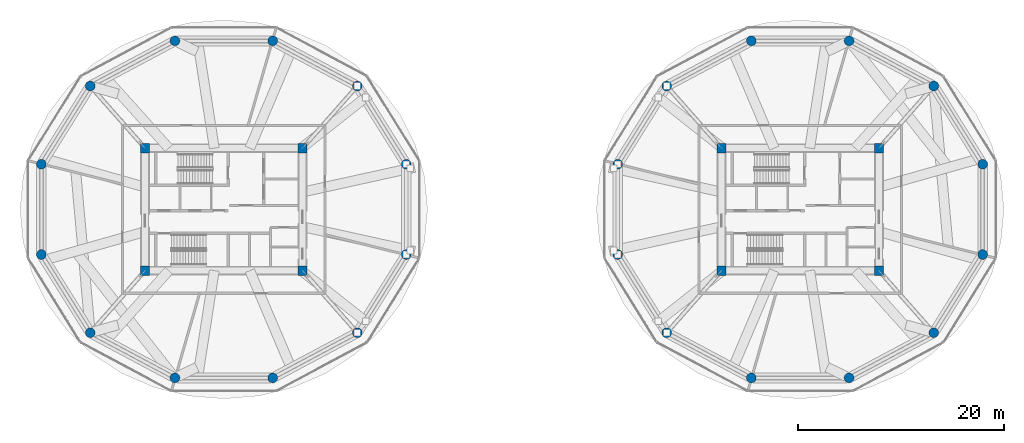
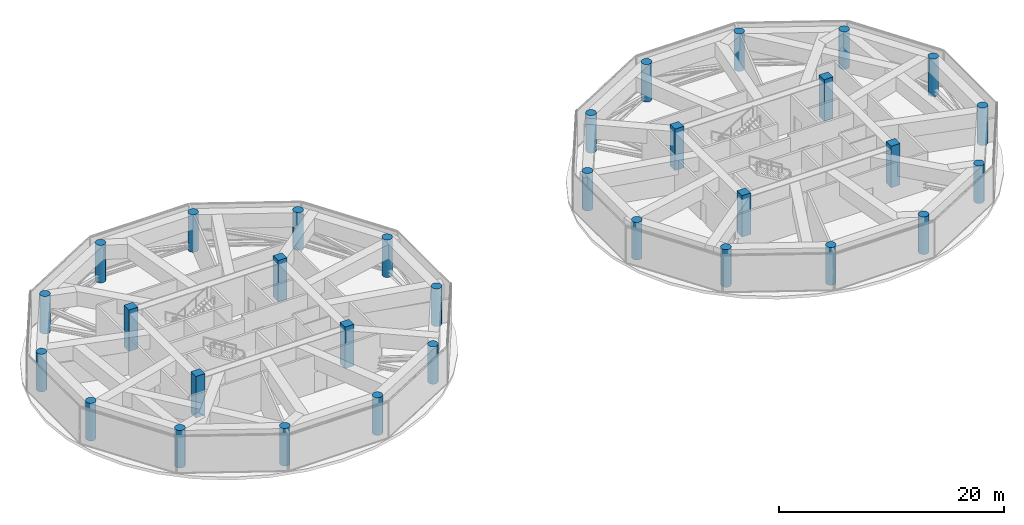
# One storey, part 1 of 22: 32 columns.
"""IFC4 building model written with IfcOpenShell, lengths in metres."""

import ifcopenshell
import ifcopenshell.guid

model = None  # the IFC model being written
_history = None  # IfcOwnerHistory: only IFC2X3 demands one
_inside = {}  # id of a spatial element -> (the spatial element, [elements in it])
_under = {}  # id of a project, library or spatial element -> (it, [spatial elements below it])
_declared = {}  # id of a project -> (the project, [libraries it declares])
_typed = {}  # id of a type object -> (the type object, [elements of that type])
_made_of = {}  # id of a material, layer set ... -> (it, [elements and type objects made of it])


def new_model(schema):
    """Start an empty IFC model of exactly this schema.

    Asked for "IFC4X3", IfcOpenShell would pick the latest addendum, in which some entities
    have other attributes; the version numbers below select the first issue.
    IFC2X3 requires an IfcOwnerHistory on every rooted entity: one is made here for all.
    """
    global model, _history
    if schema == "IFC4X3":
        model = ifcopenshell.file(schema_version=(4, 3, 0, 0))
    else:
        model = ifcopenshell.file(schema=schema)
    _inside.clear()
    _under.clear()
    _declared.clear()
    _typed.clear()
    _made_of.clear()
    _history = None
    if model.schema == "IFC2X3":
        org = make("IfcOrganization", Name="unknown")
        user = make(
            "IfcPersonAndOrganization",
            ThePerson=make("IfcPerson", FamilyName="unknown"),
            TheOrganization=org,
        )
        app = make(
            "IfcApplication",
            ApplicationDeveloper=org,
            Version="unknown",
            ApplicationFullName="unknown",
            ApplicationIdentifier="unknown",
        )
        _history = make(
            "IfcOwnerHistory",
            OwningUser=user,
            OwningApplication=app,
            ChangeAction="ADDED",
            CreationDate=0,
        )
    return model


def make(cls, **values):
    """One entity of the class cls with the attributes given. An attribute that is None is left unset."""
    return model.create_entity(
        cls, **{name: value for name, value in values.items() if value is not None}
    )


def rooted(cls, **values):
    """An entity with a GlobalId (a new one), such as an element, a storey or a relation."""
    return make(cls, GlobalId=ifcopenshell.guid.new(), OwnerHistory=_history, **values)


def si_unit(unit_type, name, prefix=None):
    """IfcSIUnit, for example si_unit("LENGTHUNIT", "METRE", prefix="MILLI")."""
    return make("IfcSIUnit", UnitType=unit_type, Prefix=prefix, Name=name)


def assignment(units):
    """IfcUnitAssignment: the units of a project."""
    return None if units is None else make("IfcUnitAssignment", Units=units)


def point(xyz):
    """IfcCartesianPoint."""
    return None if xyz is None else make("IfcCartesianPoint", Coordinates=xyz)


def direction(xyz):
    """IfcDirection."""
    return None if xyz is None else make("IfcDirection", DirectionRatios=xyz)


def frame(location, z_axis=None, x_axis=None):
    """IfcAxis2Placement3D, a coordinate frame: its origin and axes. An axis left out is left unset."""
    return make(
        "IfcAxis2Placement3D",
        Location=point(location),
        Axis=direction(z_axis),
        RefDirection=direction(x_axis),
    )


def frame_2d(location, x_axis=None):
    """IfcAxis2Placement2D, a coordinate frame in the plane: its origin and x axis."""
    return make(
        "IfcAxis2Placement2D", Location=point(location), RefDirection=direction(x_axis)
    )


def origin():
    """The frame at (0, 0, 0) with its axes left unset."""
    return frame((0.0, 0.0, 0.0))


def origin_2d():
    """The frame at (0, 0) in the plane with its x axis left unset."""
    return frame_2d((0.0, 0.0))


def place(relative_to, where):
    """IfcLocalPlacement: puts the frame where relative to a parent placement (None: the world)."""
    return make(
        "IfcLocalPlacement", PlacementRelTo=relative_to, RelativePlacement=where
    )


def context(
    kind, dimensions, precision=None, world=None, true_north=None, identifier=None
):
    """IfcGeometricRepresentationContext, for example the 3D "Model" context."""
    return make(
        "IfcGeometricRepresentationContext",
        ContextIdentifier=identifier,
        ContextType=kind,
        CoordinateSpaceDimension=dimensions,
        Precision=precision,
        WorldCoordinateSystem=world,
        TrueNorth=true_north,
    )


def subcontext(parent, identifier, kind, view, scale=None):
    """IfcGeometricRepresentationSubContext, for example "Body" below "Model"."""
    return make(
        "IfcGeometricRepresentationSubContext",
        ContextIdentifier=identifier,
        ContextType=kind,
        ParentContext=parent,
        TargetScale=scale,
        TargetView=view,
    )


def project(units=None, contexts=None):
    """IfcProject with its units and contexts."""
    return rooted(
        "IfcProject",
        Name="project",
        RepresentationContexts=contexts,
        UnitsInContext=assignment(units),
    )


def spatial(cls, under=None, at=None, **own):
    """A site, building, storey or space (cls), placed at a placement, below another one or the project."""
    s = rooted(cls, ObjectPlacement=at, **own)
    if under is not None:
        _under.setdefault(under.id(), (under, []))[1].append(s)
    return s


def profile(cls, at=None, kind="AREA", **sizes):
    """A parametric profile (cls). Its sizes go by their IFC names, for example OverallWidth=200.0."""
    return make(cls, ProfileType=kind, Position=at, **sizes)


def rectangle(**sizes):
    """IfcRectangleProfileDef."""
    return profile("IfcRectangleProfileDef", **sizes)


def circle(**sizes):
    """IfcCircleProfileDef."""
    return profile("IfcCircleProfileDef", **sizes)


def extrude(swept, where, along, depth):
    """IfcExtrudedAreaSolid: the profile swept, set in the frame where, extruded along a direction by depth."""
    return make(
        "IfcExtrudedAreaSolid",
        SweptArea=swept,
        Position=where,
        ExtrudedDirection=direction(along),
        Depth=depth,
    )


def shape(context_of_items, identifier, shape_type, items):
    """IfcShapeRepresentation: the items that make up one representation, for example the "Body"."""
    return make(
        "IfcShapeRepresentation",
        ContextOfItems=context_of_items,
        RepresentationIdentifier=identifier,
        RepresentationType=shape_type,
        Items=items,
    )


def source(mapping_origin, context_of_items, identifier, shape_type, items):
    """IfcRepresentationMap: a shape defined once, which mapped items show again and again."""
    return make(
        "IfcRepresentationMap",
        MappingOrigin=mapping_origin,
        MappedRepresentation=shape(context_of_items, identifier, shape_type, items),
    )


def transform(
    local_origin,
    x_axis=None,
    y_axis=None,
    z_axis=None,
    scale=None,
    scale2=None,
    scale3=None,
    uniform=True,
):
    """IfcCartesianTransformationOperator3D, or its non-uniform kind. x_axis, y_axis, z_axis: its Axis1, 2, 3."""
    if uniform:
        return make(
            "IfcCartesianTransformationOperator3D",
            Axis1=direction(x_axis),
            Axis2=direction(y_axis),
            LocalOrigin=point(local_origin),
            Scale=scale,
            Axis3=direction(z_axis),
        )
    return make(
        "IfcCartesianTransformationOperator3DnonUniform",
        Axis1=direction(x_axis),
        Axis2=direction(y_axis),
        LocalOrigin=point(local_origin),
        Scale=scale,
        Axis3=direction(z_axis),
        Scale2=scale2,
        Scale3=scale3,
    )


def mapped(mapping_source, mapping_target):
    """IfcMappedItem: shows the shape of a source again, moved by a transform."""
    return make(
        "IfcMappedItem", MappingSource=mapping_source, MappingTarget=mapping_target
    )


def material(Name=None, Category=None):
    """IfcMaterial."""
    return make("IfcMaterial", Name=Name, Category=Category)


def material_profile(
    of_material, cross_section, Name=None, Category=None, Priority=None
):
    """IfcMaterialProfile: a cross section and its material."""
    return make(
        "IfcMaterialProfile",
        Name=Name,
        Material=of_material,
        Profile=cross_section,
        Priority=Priority,
        Category=Category,
    )


def profile_set(profiles, Name=None, composite=None):
    """IfcMaterialProfileSet."""
    return make(
        "IfcMaterialProfileSet",
        Name=Name,
        MaterialProfiles=profiles,
        CompositeProfile=composite,
    )


def made_of(thing, what):
    """Note that an element or type object is made of a material, layer set ...; save() writes the relation."""
    if what is not None:
        _made_of.setdefault(what.id(), (what, []))[1].append(thing)
    return thing


def type_object(cls, material=None, **own):
    """A type object (cls), such as IfcWallType, which elements share."""
    return made_of(rooted(cls, **own), material)


def type_shapes(of_type, sources):
    """Give a type object the sources (RepresentationMaps) that its elements show as mapped items."""
    of_type.RepresentationMaps = sources


def element(
    cls,
    number,
    at=None,
    inside=None,
    cuts=None,
    type_object=None,
    material=None,
    context=None,
    identifier="Body",
    shape_type=None,
    held_by="IfcProductDefinitionShape",
    body=None,
    shapes=None,
    **own,
):
    """One element of the class cls, such as IfcWall. Its Tag is "e" and its number.

    at: its placement. inside: the storey or other place that contains it. cuts: it is an
    opening in that element (IfcRelVoidsElement). A single representation is given by context,
    identifier, shape_type and body (its items); several are given by shapes. held_by: the class
    of the entity that holds the representations. save() writes the other relations.
    """
    e = rooted(cls, Tag="e%d" % number, ObjectPlacement=at, **own)
    if body is not None:
        shapes = [shape(context, identifier, shape_type, body)]
    if shapes is not None:
        e.Representation = make(held_by, Representations=shapes)
    if inside is not None:
        _inside.setdefault(inside.id(), (inside, []))[1].append(e)
    if cuts is not None:
        rooted(
            "IfcRelVoidsElement", RelatingBuildingElement=cuts, RelatedOpeningElement=e
        )
    if type_object is not None:
        _typed.setdefault(type_object.id(), (type_object, []))[1].append(e)
    return made_of(e, material)


def aggregate(whole, parts):
    """IfcRelAggregates: a whole, such as a stair, and the parts it consists of."""
    return rooted("IfcRelAggregates", RelatingObject=whole, RelatedObjects=parts)


def save(model, path):
    """Write the relations noted so far, then the file.

    IfcRelAggregates (storeys below a building ...), IfcRelContainedInSpatialStructure (elements
    in a storey), IfcRelDefinesByType, IfcRelAssociatesMaterial and IfcRelDeclares: one each for
    every whole, place, type object, material and project.
    """
    for whole, parts in _under.values():
        aggregate(whole, parts)
    for where, things in _inside.values():
        rooted(
            "IfcRelContainedInSpatialStructure",
            RelatedElements=things,
            RelatingStructure=where,
        )
    for kind, things in _typed.values():
        rooted("IfcRelDefinesByType", RelatedObjects=things, RelatingType=kind)
    for what, things in _made_of.values():
        rooted("IfcRelAssociatesMaterial", RelatedObjects=things, RelatingMaterial=what)
    for by, libraries in _declared.values():
        rooted("IfcRelDeclares", RelatingContext=by, RelatedDefinitions=libraries)
    model.write(path)


model = new_model("IFC4")

# Units and contexts
model_context = context("Model", 3, precision=1e-05, world=origin(), true_north=direction((0.0, 1.0)))
body_context = subcontext(model_context, "Body", "Model", "MODEL_VIEW")
ifc_project = project(units=[si_unit("LENGTHUNIT", "METRE"), si_unit("AREAUNIT", "SQUARE_METRE"), si_unit("VOLUMEUNIT", "CUBIC_METRE"), si_unit("PLANEANGLEUNIT", "RADIAN"), si_unit("MASSUNIT", "GRAM", prefix="KILO")], contexts=[model_context])

# Site, building, storey
site_placement = place(None, origin())
site = spatial("IfcSite", under=ifc_project, at=site_placement, CompositionType="ELEMENT")
building_placement = place(site_placement, origin())
building = spatial("IfcBuilding", under=site, at=building_placement, Name="Norrkilde Senior Care Towers", CompositionType="ELEMENT")
storey_placement = place(building_placement, frame((0.0, 0.0, 73.449951171875)))
storey = spatial("IfcBuildingStorey", under=building, at=storey_placement, Name="L22", CompositionType="ELEMENT", Elevation=73.449951171875)

# Columns
ifc_material = material(Name="Concrete C60/75", Category="concrete")
ifc_material_profile_1 = material_profile(ifc_material, rectangle(XDim=0.89990234375, YDim=0.89990234375, at=origin_2d()), Name="RC COL 900x900")
ifc_profile_set_1 = profile_set([ifc_material_profile_1], Name="Concrete C60/75")
column_type_1 = type_object("IfcColumnType", Name="Column Core Corner Z1-Z2 900", PredefinedType="COLUMN", material=ifc_profile_set_1)
shared_shape_1 = source(origin(), body_context, "Body", "SweptSolid", [
    extrude(rectangle(XDim=0.89990234375, YDim=0.89990234375, at=origin_2d()), origin(), (0.0, 0.0, 1.0), 4.5),
])
type_shapes(column_type_1, [shared_shape_1])
for number, where, z_axis, x_axis, name in (
    (1, (-35.64990234375, -5.949951171875, 0.0), (0.0, 0.0, 1.0), (1.0, 0.0, 0.0), "L22 Core W Corner Column 1"),
    (2, (-20.35009765625, -5.949951171875, 0.0), (0.0, 0.0, 1.0), (1.0, 0.0, 0.0), "L22 Core W Corner Column 2"),
    (3, (-20.35009765625, 5.949951171875, 0.0), (0.0, 0.0, 1.0), (1.0, 0.0, 0.0), "L22 Core W Corner Column 3"),
    (4, (-35.64990234375, 5.949951171875, 0.0), (0.0, 0.0, 1.0), (1.0, 0.0, 0.0), "L22 Core W Corner Column 4"),
    (5, (20.35009765625, -5.949951171875, 0.0), (0.0, 0.0, 1.0), (1.0, 0.0, 0.0), "L22 Core E Corner Column 1"),
    (6, (35.64990234375, -5.949951171875, 0.0), (0.0, 0.0, 1.0), (1.0, 0.0, 0.0), "L22 Core E Corner Column 2"),
    (7, (35.64990234375, 5.949951171875, 0.0), (0.0, 0.0, 1.0), (1.0, 0.0, 0.0), "L22 Core E Corner Column 3"),
    (8, (20.35009765625, 5.949951171875, 0.0), (0.0, 0.0, 1.0), (1.0, 0.0, 0.0), "L22 Core E Corner Column 4"),
):
    element("IfcColumn", number, at=place(storey_placement, frame(where, z_axis=z_axis, x_axis=x_axis)), inside=storey, type_object=column_type_1, Name=name, PredefinedType="COLUMN", context=body_context, shape_type="MappedRepresentation", body=[
        mapped(shared_shape_1, transform((0.0, 0.0, 0.0), x_axis=(1.0, 0.0, 0.0), y_axis=(0.0, 1.0, 0.0), z_axis=(0.0, 0.0, 1.0), scale=1.0)),
    ])
ifc_material_profile_2 = material_profile(ifc_material, circle(Radius=0.47509765625, at=origin_2d()), Name="RC CIR 950")
ifc_profile_set_2 = profile_set([ifc_material_profile_2], Name="Concrete C60/75")
column_type_2 = type_object("IfcColumnType", Name="Column Perimeter Z1 950", PredefinedType="COLUMN", material=ifc_profile_set_2)
shared_shape_2 = source(origin(), body_context, "Body", "SweptSolid", [
    extrude(circle(Radius=0.47509765625, at=origin_2d()), origin(), (0.0, 0.0, 1.0), 4.080078125),
])
type_shapes(column_type_2, [shared_shape_2])
for number, where, z_axis, x_axis, name in (
    (9, (-10.275146484375, 4.386962890625, 0.0), (0.0, 0.0, 1.0), (1.0, 0.0, 0.0), "L22 Drum W Perimeter Column 01"),
    (10, (-15.024658203125, 11.9853515625, 0.0), (0.0, 0.0, 1.0), (1.0, 0.0, 0.0), "L22 Drum W Perimeter Column 02"),
    (11, (-23.250732421875, 16.37255859375, 0.0), (0.0, 0.0, 1.0), (1.0, 0.0, 0.0), "L22 Drum W Perimeter Column 03"),
    (12, (-32.749267578125, 16.37255859375, 0.0), (0.0, 0.0, 1.0), (1.0, 0.0, 0.0), "L22 Drum W Perimeter Column 04"),
    (13, (-40.975341796875, 11.9853515625, 0.0), (0.0, 0.0, 1.0), (1.0, 0.0, 0.0), "L22 Drum W Perimeter Column 05"),
    (14, (-45.724853515625, 4.386962890625, 0.0), (0.0, 0.0, 1.0), (1.0, 0.0, 0.0), "L22 Drum W Perimeter Column 06"),
    (15, (-45.724853515625, -4.386962890625, 0.0), (0.0, 0.0, 1.0), (1.0, 0.0, 0.0), "L22 Drum W Perimeter Column 07"),
    (16, (-40.975341796875, -11.9853515625, 0.0), (0.0, 0.0, 1.0), (1.0, 0.0, 0.0), "L22 Drum W Perimeter Column 08"),
    (17, (-32.749267578125, -16.37255859375, 0.0), (0.0, 0.0, 1.0), (1.0, 0.0, 0.0), "L22 Drum W Perimeter Column 09"),
    (18, (-23.250732421875, -16.37255859375, 0.0), (0.0, 0.0, 1.0), (1.0, 0.0, 0.0), "L22 Drum W Perimeter Column 10"),
    (19, (-15.024658203125, -11.9853515625, 0.0), (0.0, 0.0, 1.0), (1.0, 0.0, 0.0), "L22 Drum W Perimeter Column 11"),
    (20, (-10.275146484375, -4.386962890625, 0.0), (0.0, 0.0, 1.0), (1.0, 0.0, 0.0), "L22 Drum W Perimeter Column 12"),
    (21, (45.724853515625, 4.386962890625, 0.0), (0.0, 0.0, 1.0), (1.0, 0.0, 0.0), "L22 Drum E Perimeter Column 01"),
    (22, (40.975341796875, 11.9853515625, 0.0), (0.0, 0.0, 1.0), (1.0, 0.0, 0.0), "L22 Drum E Perimeter Column 02"),
    (23, (32.749267578125, 16.37255859375, 0.0), (0.0, 0.0, 1.0), (1.0, 0.0, 0.0), "L22 Drum E Perimeter Column 03"),
    (24, (23.250732421875, 16.37255859375, 0.0), (0.0, 0.0, 1.0), (1.0, 0.0, 0.0), "L22 Drum E Perimeter Column 04"),
    (25, (15.024658203125, 11.9853515625, 0.0), (0.0, 0.0, 1.0), (1.0, 0.0, 0.0), "L22 Drum E Perimeter Column 05"),
    (26, (10.275146484375, 4.386962890625, 0.0), (0.0, 0.0, 1.0), (1.0, 0.0, 0.0), "L22 Drum E Perimeter Column 06"),
    (27, (10.275146484375, -4.386962890625, 0.0), (0.0, 0.0, 1.0), (1.0, 0.0, 0.0), "L22 Drum E Perimeter Column 07"),
    (28, (15.024658203125, -11.9853515625, 0.0), (0.0, 0.0, 1.0), (1.0, 0.0, 0.0), "L22 Drum E Perimeter Column 08"),
    (29, (23.250732421875, -16.37255859375, 0.0), (0.0, 0.0, 1.0), (1.0, 0.0, 0.0), "L22 Drum E Perimeter Column 09"),
    (30, (32.749267578125, -16.37255859375, 0.0), (0.0, 0.0, 1.0), (1.0, 0.0, 0.0), "L22 Drum E Perimeter Column 10"),
    (31, (40.975341796875, -11.9853515625, 0.0), (0.0, 0.0, 1.0), (1.0, 0.0, 0.0), "L22 Drum E Perimeter Column 11"),
    (32, (45.724853515625, -4.386962890625, 0.0), (0.0, 0.0, 1.0), (1.0, 0.0, 0.0), "L22 Drum E Perimeter Column 12"),
):
    element("IfcColumn", number, at=place(storey_placement, frame(where, z_axis=z_axis, x_axis=x_axis)), inside=storey, type_object=column_type_2, Name=name, PredefinedType="COLUMN", context=body_context, shape_type="MappedRepresentation", body=[
        mapped(shared_shape_2, transform((0.0, 0.0, 0.0), x_axis=(1.0, 0.0, 0.0), y_axis=(0.0, 1.0, 0.0), z_axis=(0.0, 0.0, 1.0), scale=1.0)),
    ])

save(model, "model.ifc")
